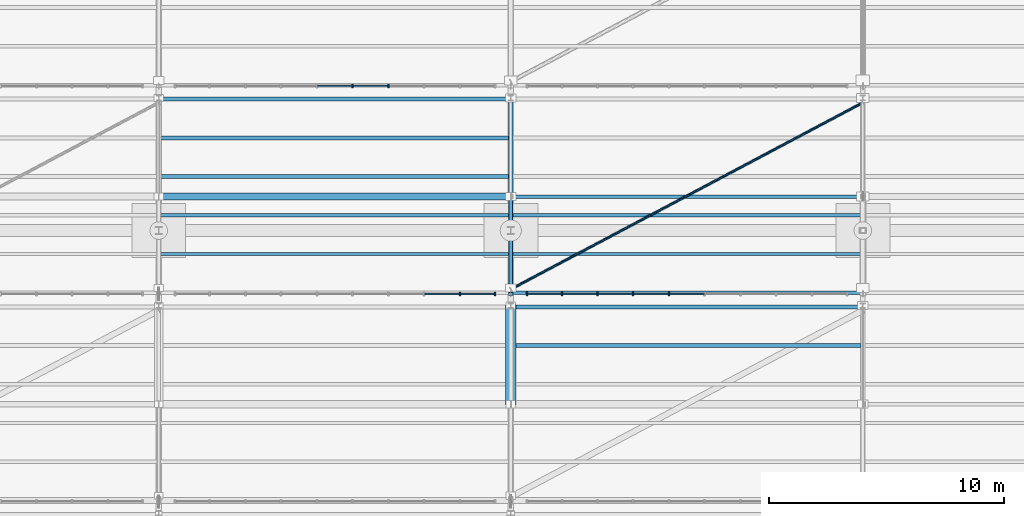
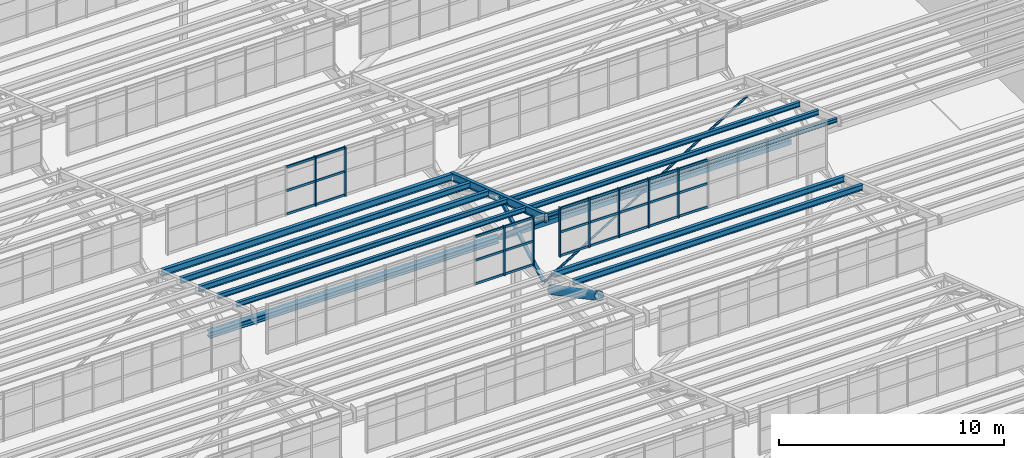
# One storey, part 91 of 285: 42 members, 11 beams, 3 elements without a shape of their own.
"""IFC4 building model written with IfcOpenShell, lengths in metres."""

from ifc_helpers import new_model, si_unit, direction, frame, origin, origin_2d, place, context, subcontext, project, spatial, rectangle, hollow_rectangle, hollow_circle, i_section, extrude, material, material_profile, profile_set, type_object, element, aggregate, save


model = new_model("IFC4")

# Units and contexts
model_context = context("Model", 3, precision=1e-05, world=origin(), true_north=direction((0.0, 1.0)))
body_context = subcontext(model_context, "Body", "Model", "MODEL_VIEW")
ifc_project = project(units=[si_unit("LENGTHUNIT", "METRE"), si_unit("AREAUNIT", "SQUARE_METRE"), si_unit("VOLUMEUNIT", "CUBIC_METRE"), si_unit("PLANEANGLEUNIT", "RADIAN"), si_unit("MASSUNIT", "GRAM", prefix="KILO")], contexts=[model_context])

# Site, building, storey
site_placement = place(None, origin())
site = spatial("IfcSite", under=ifc_project, at=site_placement, CompositionType="ELEMENT")
building_placement = place(site_placement, origin())
building = spatial("IfcBuilding", under=site, at=building_placement, Name="Solanera Park Tramway Depot", CompositionType="ELEMENT")
storey_placement = place(building_placement, origin())
storey = spatial("IfcBuildingStorey", under=building, at=storey_placement, Name="L00", CompositionType="ELEMENT", Elevation=0.0)

# Curtain wall, members
ifc_material_1 = material(Name="Bronze-anodised thermally broken aluminium curtain wall", Category="aluminium")
curtain_wall_type = type_object("IfcCurtainWallType", Name="Sawtooth Clerestory Monitor Curtain Wall", PredefinedType="NOTDEFINED", material=ifc_material_1)
curtain_wall_1_placement = place(storey_placement, origin())
curtain_wall_1 = element("IfcCurtainWall", 1, at=curtain_wall_1_placement, inside=storey, type_object=curtain_wall_type, Name="L00 Sawtooth Clerestory Monitor Curtain Wall #026", PredefinedType="NOTDEFINED")
ifc_material_2 = material(Name="Bronze-anodised structural aluminium 6063-T6", Category="aluminium")
ifc_material_profile_1 = material_profile(ifc_material_2, rectangle(XDim=0.06494140625, YDim=0.14990234375, at=origin_2d()), Name="Curtain Wall Mullion 65x150")
ifc_profile_set_1 = profile_set([ifc_material_profile_1], Name="Bronze-anodised structural aluminium 6063-T6")
member_type_1 = type_object("IfcMemberType", Name="Curtain Wall Mullion 65x150", PredefinedType="MULLION", material=ifc_profile_set_1)
member_1_placement = place(storey_placement, frame((117.827880859375, 82.300048828125, 7.75), z_axis=(0.0, 0.0, 1.0), x_axis=(1.0, 0.0, 0.0)))
member_1 = element("IfcMember", 2, at=member_1_placement, type_object=member_type_1, Name="CW-L00-026 Mullion 9", PredefinedType="MULLION", context=body_context, shape_type="SweptSolid", body=[
    extrude(rectangle(XDim=0.06494140625, YDim=0.14990234375, at=origin_2d()), origin(), (0.0, 0.0, 1.0), 2.6611328125),
])
member_2_placement = place(storey_placement, frame((119.3173828125, 82.300048828125, 7.75), z_axis=(0.0, 0.0, 1.0), x_axis=(1.0, 0.0, 0.0)))
member_2 = element("IfcMember", 3, at=member_2_placement, type_object=member_type_1, Name="CW-L00-026 Mullion 10", PredefinedType="MULLION", context=body_context, shape_type="SweptSolid", body=[
    extrude(rectangle(XDim=0.06494140625, YDim=0.14990234375, at=origin_2d()), origin(), (0.0, 0.0, 1.0), 2.6611328125),
])

curtain_wall_2_placement = place(storey_placement, origin())
curtain_wall_2 = element("IfcCurtainWall", 4, at=curtain_wall_2_placement, inside=storey, type_object=curtain_wall_type, Name="L00 Sawtooth Clerestory Monitor Curtain Wall #027", PredefinedType="NOTDEFINED")
member_3_placement = place(storey_placement, frame((120.6826171875, 82.300048828125, 7.75), z_axis=(0.0, 0.0, 1.0), x_axis=(1.0, 0.0, 0.0)))
member_3 = element("IfcMember", 5, at=member_3_placement, type_object=member_type_1, Name="CW-L00-027 Mullion 1", PredefinedType="MULLION", context=body_context, shape_type="SweptSolid", body=[
    extrude(rectangle(XDim=0.06494140625, YDim=0.14990234375, at=origin_2d()), origin(), (0.0, 0.0, 1.0), 2.6611328125),
])
member_4_placement = place(storey_placement, frame((122.172119140625, 82.300048828125, 7.75), z_axis=(0.0, 0.0, 1.0), x_axis=(1.0, 0.0, 0.0)))
member_4 = element("IfcMember", 6, at=member_4_placement, type_object=member_type_1, Name="CW-L00-027 Mullion 2", PredefinedType="MULLION", context=body_context, shape_type="SweptSolid", body=[
    extrude(rectangle(XDim=0.06494140625, YDim=0.14990234375, at=origin_2d()), origin(), (0.0, 0.0, 1.0), 2.6611328125),
])
member_5_placement = place(storey_placement, frame((123.6943359375, 82.300048828125, 7.75), z_axis=(0.0, 0.0, 1.0), x_axis=(1.0, 0.0, 0.0)))
member_5 = element("IfcMember", 7, at=member_5_placement, type_object=member_type_1, Name="CW-L00-027 Mullion 3", PredefinedType="MULLION", context=body_context, shape_type="SweptSolid", body=[
    extrude(rectangle(XDim=0.06494140625, YDim=0.14990234375, at=origin_2d()), origin(), (0.0, 0.0, 1.0), 2.6611328125),
])
member_6_placement = place(storey_placement, frame((125.216796875, 82.300048828125, 7.75), z_axis=(0.0, 0.0, 1.0), x_axis=(1.0, 0.0, 0.0)))
member_6 = element("IfcMember", 8, at=member_6_placement, type_object=member_type_1, Name="CW-L00-027 Mullion 4", PredefinedType="MULLION", context=body_context, shape_type="SweptSolid", body=[
    extrude(rectangle(XDim=0.06494140625, YDim=0.14990234375, at=origin_2d()), origin(), (0.0, 0.0, 1.0), 2.6611328125),
])
member_7_placement = place(storey_placement, frame((126.739013671875, 82.300048828125, 7.75), z_axis=(0.0, 0.0, 1.0), x_axis=(1.0, 0.0, 0.0)))
member_7 = element("IfcMember", 9, at=member_7_placement, type_object=member_type_1, Name="CW-L00-027 Mullion 5", PredefinedType="MULLION", context=body_context, shape_type="SweptSolid", body=[
    extrude(rectangle(XDim=0.06494140625, YDim=0.14990234375, at=origin_2d()), origin(), (0.0, 0.0, 1.0), 2.6611328125),
])

curtain_wall_3_placement = place(storey_placement, origin())
curtain_wall_3 = element("IfcCurtainWall", 10, at=curtain_wall_3_placement, inside=storey, type_object=curtain_wall_type, Name="L00 Sawtooth Clerestory Monitor Curtain Wall #034", PredefinedType="NOTDEFINED")
member_8_placement = place(storey_placement, frame((113.260986328125, 91.14990234375, 7.75), z_axis=(0.0, 0.0, 1.0), x_axis=(1.0, 0.0, 0.0)))
member_8 = element("IfcMember", 11, at=member_8_placement, type_object=member_type_1, Name="CW-L00-034 Mullion 6", PredefinedType="MULLION", context=body_context, shape_type="SweptSolid", body=[
    extrude(rectangle(XDim=0.06494140625, YDim=0.14990234375, at=origin_2d()), origin(), (0.0, 0.0, 1.0), 2.6611328125),
])
member_9_placement = place(storey_placement, frame((114.783203125, 91.14990234375, 7.75), z_axis=(0.0, 0.0, 1.0), x_axis=(1.0, 0.0, 0.0)))
member_9 = element("IfcMember", 12, at=member_9_placement, type_object=member_type_1, Name="CW-L00-034 Mullion 7", PredefinedType="MULLION", context=body_context, shape_type="SweptSolid", body=[
    extrude(rectangle(XDim=0.06494140625, YDim=0.14990234375, at=origin_2d()), origin(), (0.0, 0.0, 1.0), 2.6611328125),
])

# Member
ifc_material_3 = material(Name="Bronze-anodised structural aluminium 6063-T6", Category="aluminium")
ifc_material_profile_2 = material_profile(ifc_material_3, rectangle(XDim=0.06494140625, YDim=0.1201171875, at=origin_2d()), Name="Curtain Wall Transom 65x120")
ifc_profile_set_2 = profile_set([ifc_material_profile_2], Name="Bronze-anodised structural aluminium 6063-T6")
member_type_2 = type_object("IfcMemberType", Name="Curtain Wall Transom 65x120", PredefinedType="USERDEFINED", material=ifc_profile_set_2)
member_10_placement = place(storey_placement, frame((116.33349609375, 82.300048828125, 7.81005859375), z_axis=(1.0, 0.0, 0.0), x_axis=(0.0, 1.0, 0.0)))
member_10 = element("IfcMember", 13, at=member_10_placement, type_object=member_type_2, Name="CW-L00-026 Transom R1.C8", ObjectType="TRANSOM", PredefinedType="USERDEFINED", context=body_context, shape_type="SweptSolid", body=[
    extrude(rectangle(XDim=0.06494140625, YDim=0.1201171875, at=origin_2d()), origin(), (0.0, 0.0, 1.0), 1.46630859375),
])

member_11_placement = place(storey_placement, frame((117.855712890625, 82.300048828125, 7.81005859375), z_axis=(1.0, 0.0, 0.0), x_axis=(0.0, 1.0, 0.0)))
member_11 = element("IfcMember", 14, at=member_11_placement, type_object=member_type_2, Name="CW-L00-026 Transom R1.C9", ObjectType="TRANSOM", PredefinedType="USERDEFINED", context=body_context, shape_type="SweptSolid", body=[
    extrude(rectangle(XDim=0.06494140625, YDim=0.1201171875, at=origin_2d()), origin(), (0.0, 0.0, 1.0), 1.433837890625),
])

member_12_placement = place(storey_placement, frame((116.33349609375, 82.300048828125, 9.08056640625), z_axis=(1.0, 0.0, 0.0), x_axis=(0.0, 1.0, 0.0)))
member_12 = element("IfcMember", 15, at=member_12_placement, type_object=member_type_2, Name="CW-L00-026 Transom R2.C8", ObjectType="TRANSOM", PredefinedType="USERDEFINED", context=body_context, shape_type="SweptSolid", body=[
    extrude(rectangle(XDim=0.06494140625, YDim=0.1201171875, at=origin_2d()), origin(), (0.0, 0.0, 1.0), 1.46630859375),
])

member_13_placement = place(storey_placement, frame((117.855712890625, 82.300048828125, 9.08056640625), z_axis=(1.0, 0.0, 0.0), x_axis=(0.0, 1.0, 0.0)))
member_13 = element("IfcMember", 16, at=member_13_placement, type_object=member_type_2, Name="CW-L00-026 Transom R2.C9", ObjectType="TRANSOM", PredefinedType="USERDEFINED", context=body_context, shape_type="SweptSolid", body=[
    extrude(rectangle(XDim=0.06494140625, YDim=0.1201171875, at=origin_2d()), origin(), (0.0, 0.0, 1.0), 1.433837890625),
])

member_14_placement = place(storey_placement, frame((116.33349609375, 82.300048828125, 10.351318359375), z_axis=(1.0, 0.0, 0.0), x_axis=(0.0, 1.0, 0.0)))
member_14 = element("IfcMember", 17, at=member_14_placement, type_object=member_type_2, Name="CW-L00-026 Transom R3.C8", ObjectType="TRANSOM", PredefinedType="USERDEFINED", context=body_context, shape_type="SweptSolid", body=[
    extrude(rectangle(XDim=0.06494140625, YDim=0.1201171875, at=origin_2d()), origin(), (0.0, 0.0, 1.0), 1.46630859375),
])

member_15_placement = place(storey_placement, frame((117.855712890625, 82.300048828125, 10.351318359375), z_axis=(1.0, 0.0, 0.0), x_axis=(0.0, 1.0, 0.0)))
member_15 = element("IfcMember", 18, at=member_15_placement, type_object=member_type_2, Name="CW-L00-026 Transom R3.C9", ObjectType="TRANSOM", PredefinedType="USERDEFINED", context=body_context, shape_type="SweptSolid", body=[
    extrude(rectangle(XDim=0.06494140625, YDim=0.1201171875, at=origin_2d()), origin(), (0.0, 0.0, 1.0), 1.433837890625),
])

aggregate(curtain_wall_1, [member_1, member_2, member_10, member_11, member_12, member_13, member_14, member_15])

member_16_placement = place(storey_placement, frame((120.71044921875, 82.300048828125, 7.81005859375), z_axis=(1.0, 0.0, 0.0), x_axis=(0.0, 1.0, 0.0)))
member_16 = element("IfcMember", 19, at=member_16_placement, type_object=member_type_2, Name="CW-L00-027 Transom R1.C1", ObjectType="TRANSOM", PredefinedType="USERDEFINED", context=body_context, shape_type="SweptSolid", body=[
    extrude(rectangle(XDim=0.06494140625, YDim=0.1201171875, at=origin_2d()), origin(), (0.0, 0.0, 1.0), 1.433837890625),
])

member_17_placement = place(storey_placement, frame((122.2001953125, 82.300048828125, 7.81005859375), z_axis=(1.0, 0.0, 0.0), x_axis=(0.0, 1.0, 0.0)))
member_17 = element("IfcMember", 20, at=member_17_placement, type_object=member_type_2, Name="CW-L00-027 Transom R1.C2", ObjectType="TRANSOM", PredefinedType="USERDEFINED", context=body_context, shape_type="SweptSolid", body=[
    extrude(rectangle(XDim=0.06494140625, YDim=0.1201171875, at=origin_2d()), origin(), (0.0, 0.0, 1.0), 1.46630859375),
])

member_18_placement = place(storey_placement, frame((123.722412109375, 82.300048828125, 7.81005859375), z_axis=(1.0, 0.0, 0.0), x_axis=(0.0, 1.0, 0.0)))
member_18 = element("IfcMember", 21, at=member_18_placement, type_object=member_type_2, Name="CW-L00-027 Transom R1.C3", ObjectType="TRANSOM", PredefinedType="USERDEFINED", context=body_context, shape_type="SweptSolid", body=[
    extrude(rectangle(XDim=0.06494140625, YDim=0.1201171875, at=origin_2d()), origin(), (0.0, 0.0, 1.0), 1.46630859375),
])

member_19_placement = place(storey_placement, frame((125.24462890625, 82.300048828125, 7.81005859375), z_axis=(1.0, 0.0, 0.0), x_axis=(0.0, 1.0, 0.0)))
member_19 = element("IfcMember", 22, at=member_19_placement, type_object=member_type_2, Name="CW-L00-027 Transom R1.C4", ObjectType="TRANSOM", PredefinedType="USERDEFINED", context=body_context, shape_type="SweptSolid", body=[
    extrude(rectangle(XDim=0.06494140625, YDim=0.1201171875, at=origin_2d()), origin(), (0.0, 0.0, 1.0), 1.46630859375),
])

member_20_placement = place(storey_placement, frame((126.766845703125, 82.300048828125, 7.81005859375), z_axis=(1.0, 0.0, 0.0), x_axis=(0.0, 1.0, 0.0)))
member_20 = element("IfcMember", 23, at=member_20_placement, type_object=member_type_2, Name="CW-L00-027 Transom R1.C5", ObjectType="TRANSOM", PredefinedType="USERDEFINED", context=body_context, shape_type="SweptSolid", body=[
    extrude(rectangle(XDim=0.06494140625, YDim=0.1201171875, at=origin_2d()), origin(), (0.0, 0.0, 1.0), 1.46630859375),
])

member_21_placement = place(storey_placement, frame((120.71044921875, 82.300048828125, 9.08056640625), z_axis=(1.0, 0.0, 0.0), x_axis=(0.0, 1.0, 0.0)))
member_21 = element("IfcMember", 24, at=member_21_placement, type_object=member_type_2, Name="CW-L00-027 Transom R2.C1", ObjectType="TRANSOM", PredefinedType="USERDEFINED", context=body_context, shape_type="SweptSolid", body=[
    extrude(rectangle(XDim=0.06494140625, YDim=0.1201171875, at=origin_2d()), origin(), (0.0, 0.0, 1.0), 1.433837890625),
])

member_22_placement = place(storey_placement, frame((122.2001953125, 82.300048828125, 9.08056640625), z_axis=(1.0, 0.0, 0.0), x_axis=(0.0, 1.0, 0.0)))
member_22 = element("IfcMember", 25, at=member_22_placement, type_object=member_type_2, Name="CW-L00-027 Transom R2.C2", ObjectType="TRANSOM", PredefinedType="USERDEFINED", context=body_context, shape_type="SweptSolid", body=[
    extrude(rectangle(XDim=0.06494140625, YDim=0.1201171875, at=origin_2d()), origin(), (0.0, 0.0, 1.0), 1.46630859375),
])

member_23_placement = place(storey_placement, frame((123.722412109375, 82.300048828125, 9.08056640625), z_axis=(1.0, 0.0, 0.0), x_axis=(0.0, 1.0, 0.0)))
member_23 = element("IfcMember", 26, at=member_23_placement, type_object=member_type_2, Name="CW-L00-027 Transom R2.C3", ObjectType="TRANSOM", PredefinedType="USERDEFINED", context=body_context, shape_type="SweptSolid", body=[
    extrude(rectangle(XDim=0.06494140625, YDim=0.1201171875, at=origin_2d()), origin(), (0.0, 0.0, 1.0), 1.46630859375),
])

member_24_placement = place(storey_placement, frame((125.24462890625, 82.300048828125, 9.08056640625), z_axis=(1.0, 0.0, 0.0), x_axis=(0.0, 1.0, 0.0)))
member_24 = element("IfcMember", 27, at=member_24_placement, type_object=member_type_2, Name="CW-L00-027 Transom R2.C4", ObjectType="TRANSOM", PredefinedType="USERDEFINED", context=body_context, shape_type="SweptSolid", body=[
    extrude(rectangle(XDim=0.06494140625, YDim=0.1201171875, at=origin_2d()), origin(), (0.0, 0.0, 1.0), 1.46630859375),
])

member_25_placement = place(storey_placement, frame((126.766845703125, 82.300048828125, 9.08056640625), z_axis=(1.0, 0.0, 0.0), x_axis=(0.0, 1.0, 0.0)))
member_25 = element("IfcMember", 28, at=member_25_placement, type_object=member_type_2, Name="CW-L00-027 Transom R2.C5", ObjectType="TRANSOM", PredefinedType="USERDEFINED", context=body_context, shape_type="SweptSolid", body=[
    extrude(rectangle(XDim=0.06494140625, YDim=0.1201171875, at=origin_2d()), origin(), (0.0, 0.0, 1.0), 1.46630859375),
])

member_26_placement = place(storey_placement, frame((120.71044921875, 82.300048828125, 10.351318359375), z_axis=(1.0, 0.0, 0.0), x_axis=(0.0, 1.0, 0.0)))
member_26 = element("IfcMember", 29, at=member_26_placement, type_object=member_type_2, Name="CW-L00-027 Transom R3.C1", ObjectType="TRANSOM", PredefinedType="USERDEFINED", context=body_context, shape_type="SweptSolid", body=[
    extrude(rectangle(XDim=0.06494140625, YDim=0.1201171875, at=origin_2d()), origin(), (0.0, 0.0, 1.0), 1.433837890625),
])

member_27_placement = place(storey_placement, frame((122.2001953125, 82.300048828125, 10.351318359375), z_axis=(1.0, 0.0, 0.0), x_axis=(0.0, 1.0, 0.0)))
member_27 = element("IfcMember", 30, at=member_27_placement, type_object=member_type_2, Name="CW-L00-027 Transom R3.C2", ObjectType="TRANSOM", PredefinedType="USERDEFINED", context=body_context, shape_type="SweptSolid", body=[
    extrude(rectangle(XDim=0.06494140625, YDim=0.1201171875, at=origin_2d()), origin(), (0.0, 0.0, 1.0), 1.46630859375),
])

member_28_placement = place(storey_placement, frame((123.722412109375, 82.300048828125, 10.351318359375), z_axis=(1.0, 0.0, 0.0), x_axis=(0.0, 1.0, 0.0)))
member_28 = element("IfcMember", 31, at=member_28_placement, type_object=member_type_2, Name="CW-L00-027 Transom R3.C3", ObjectType="TRANSOM", PredefinedType="USERDEFINED", context=body_context, shape_type="SweptSolid", body=[
    extrude(rectangle(XDim=0.06494140625, YDim=0.1201171875, at=origin_2d()), origin(), (0.0, 0.0, 1.0), 1.46630859375),
])

member_29_placement = place(storey_placement, frame((125.24462890625, 82.300048828125, 10.351318359375), z_axis=(1.0, 0.0, 0.0), x_axis=(0.0, 1.0, 0.0)))
member_29 = element("IfcMember", 32, at=member_29_placement, type_object=member_type_2, Name="CW-L00-027 Transom R3.C4", ObjectType="TRANSOM", PredefinedType="USERDEFINED", context=body_context, shape_type="SweptSolid", body=[
    extrude(rectangle(XDim=0.06494140625, YDim=0.1201171875, at=origin_2d()), origin(), (0.0, 0.0, 1.0), 1.46630859375),
])

member_30_placement = place(storey_placement, frame((126.766845703125, 82.300048828125, 10.351318359375), z_axis=(1.0, 0.0, 0.0), x_axis=(0.0, 1.0, 0.0)))
member_30 = element("IfcMember", 33, at=member_30_placement, type_object=member_type_2, Name="CW-L00-027 Transom R3.C5", ObjectType="TRANSOM", PredefinedType="USERDEFINED", context=body_context, shape_type="SweptSolid", body=[
    extrude(rectangle(XDim=0.06494140625, YDim=0.1201171875, at=origin_2d()), origin(), (0.0, 0.0, 1.0), 1.46630859375),
])

aggregate(curtain_wall_2, [member_3, member_4, member_5, member_6, member_7, member_16, member_17, member_18, member_19, member_20, member_21, member_22, member_23, member_24, member_25, member_26, member_27, member_28, member_29, member_30])

member_31_placement = place(storey_placement, frame((111.766845703125, 91.14990234375, 7.81005859375), z_axis=(1.0, 0.0, 0.0), x_axis=(0.0, 1.0, 0.0)))
member_31 = element("IfcMember", 34, at=member_31_placement, type_object=member_type_2, Name="CW-L00-034 Transom R1.C5", ObjectType="TRANSOM", PredefinedType="USERDEFINED", context=body_context, shape_type="SweptSolid", body=[
    extrude(rectangle(XDim=0.06494140625, YDim=0.1201171875, at=origin_2d()), origin(), (0.0, 0.0, 1.0), 1.46630859375),
])

member_32_placement = place(storey_placement, frame((113.2890625, 91.14990234375, 7.81005859375), z_axis=(1.0, 0.0, 0.0), x_axis=(0.0, 1.0, 0.0)))
member_32 = element("IfcMember", 35, at=member_32_placement, type_object=member_type_2, Name="CW-L00-034 Transom R1.C6", ObjectType="TRANSOM", PredefinedType="USERDEFINED", context=body_context, shape_type="SweptSolid", body=[
    extrude(rectangle(XDim=0.06494140625, YDim=0.1201171875, at=origin_2d()), origin(), (0.0, 0.0, 1.0), 1.46630859375),
])

member_33_placement = place(storey_placement, frame((111.766845703125, 91.14990234375, 9.08056640625), z_axis=(1.0, 0.0, 0.0), x_axis=(0.0, 1.0, 0.0)))
member_33 = element("IfcMember", 36, at=member_33_placement, type_object=member_type_2, Name="CW-L00-034 Transom R2.C5", ObjectType="TRANSOM", PredefinedType="USERDEFINED", context=body_context, shape_type="SweptSolid", body=[
    extrude(rectangle(XDim=0.06494140625, YDim=0.1201171875, at=origin_2d()), origin(), (0.0, 0.0, 1.0), 1.46630859375),
])

member_34_placement = place(storey_placement, frame((113.2890625, 91.14990234375, 9.08056640625), z_axis=(1.0, 0.0, 0.0), x_axis=(0.0, 1.0, 0.0)))
member_34 = element("IfcMember", 37, at=member_34_placement, type_object=member_type_2, Name="CW-L00-034 Transom R2.C6", ObjectType="TRANSOM", PredefinedType="USERDEFINED", context=body_context, shape_type="SweptSolid", body=[
    extrude(rectangle(XDim=0.06494140625, YDim=0.1201171875, at=origin_2d()), origin(), (0.0, 0.0, 1.0), 1.46630859375),
])

member_35_placement = place(storey_placement, frame((111.766845703125, 91.14990234375, 10.351318359375), z_axis=(1.0, 0.0, 0.0), x_axis=(0.0, 1.0, 0.0)))
member_35 = element("IfcMember", 38, at=member_35_placement, type_object=member_type_2, Name="CW-L00-034 Transom R3.C5", ObjectType="TRANSOM", PredefinedType="USERDEFINED", context=body_context, shape_type="SweptSolid", body=[
    extrude(rectangle(XDim=0.06494140625, YDim=0.1201171875, at=origin_2d()), origin(), (0.0, 0.0, 1.0), 1.46630859375),
])

member_36_placement = place(storey_placement, frame((113.2890625, 91.14990234375, 10.351318359375), z_axis=(1.0, 0.0, 0.0), x_axis=(0.0, 1.0, 0.0)))
member_36 = element("IfcMember", 39, at=member_36_placement, type_object=member_type_2, Name="CW-L00-034 Transom R3.C6", ObjectType="TRANSOM", PredefinedType="USERDEFINED", context=body_context, shape_type="SweptSolid", body=[
    extrude(rectangle(XDim=0.06494140625, YDim=0.1201171875, at=origin_2d()), origin(), (0.0, 0.0, 1.0), 1.46630859375),
])

aggregate(curtain_wall_3, [member_8, member_9, member_31, member_32, member_33, member_34, member_35, member_36])

# Members
ifc_material_4 = material(Name="Steel AS/NZS 1163 Grade C350L0", Category="steel")
ifc_material_profile_3 = material_profile(ifc_material_4, hollow_rectangle(XDim=0.14990234375, YDim=0.14990234375, WallThickness=0.006103515625, at=origin_2d()), Name="150x150x6.0 SHS")
ifc_profile_set_3 = profile_set([ifc_material_profile_3], Name="Steel AS/NZS 1163 Grade C350L0")
member_type_3 = type_object("IfcMemberType", Name="Roof Gantry Compression Strut 150x150x6.0 SHS", PredefinedType="STRUT", material=ifc_profile_set_3)
member_37_placement = place(storey_placement, frame((120.0, 82.550048828125, 6.5), z_axis=(0.0, 0.871630906744, 0.490162791742), x_axis=(-1.0, 0.0, 0.0)))
element("IfcMember", 40, at=member_37_placement, inside=storey, type_object=member_type_3, Name="Sawtooth ROOF TRUSS Strut 150x150x6.0 SHS #0158", PredefinedType="STRUT", context=body_context, shape_type="SweptSolid", body=[
    extrude(hollow_rectangle(XDim=0.14990234375, YDim=0.14990234375, WallThickness=0.006103515625, at=origin_2d()), origin(), (0.0, 0.0, 1.0), 4.474365234375),
])
ifc_material_5 = material(Name="Steel AS/NZS 1163 Grade C350L0", Category="steel")
ifc_material_profile_4 = material_profile(ifc_material_5, hollow_rectangle(XDim=0.14990234375, YDim=0.25, WallThickness=0.008056640625, at=origin_2d()), Name="250x150x8.0 RHS")
ifc_profile_set_4 = profile_set([ifc_material_profile_4], Name="Steel AS/NZS 1163 Grade C350L0")
member_type_4 = type_object("IfcMemberType", Name="Secondary Truss Chord 250x150x8.0 RHS", PredefinedType="CHORD", material=ifc_profile_set_4)
member_38_placement = place(storey_placement, frame((120.087890625, 86.449951171875, 6.5), z_axis=(1.0, 0.0, 0.0), x_axis=(0.0, 1.0, 0.0)))
element("IfcMember", 41, at=member_38_placement, inside=storey, type_object=member_type_4, Name="Sawtooth Longitudinal Tie Chord 250x150x8.0 RHS #0176", PredefinedType="CHORD", context=body_context, shape_type="SweptSolid", body=[
    extrude(hollow_rectangle(XDim=0.14990234375, YDim=0.25, WallThickness=0.008056640625, at=origin_2d()), origin(), (0.0, 0.0, 1.0), 14.82421875),
])
ifc_material_6 = material(Name="Steel AS/NZS 3679.1 Grade 350", Category="steel")
ifc_material_profile_5 = material_profile(ifc_material_6, i_section(OverallWidth=0.310546875, OverallDepth=0.3271484375, WebThickness=0.015625, FlangeThickness=0.02490234375, at=origin_2d()), Name="310UC158")
ifc_profile_set_5 = profile_set([ifc_material_profile_5], Name="Steel AS/NZS 3679.1 Grade 350")
member_type_5 = type_object("IfcMemberType", Name="Secondary Truss Chord 310UC158", PredefinedType="CHORD", material=ifc_profile_set_5)
member_39_placement = place(storey_placement, frame((105.087890625, 86.449951171875, 6.5), z_axis=(1.0, 0.0, 0.0), x_axis=(0.0, 1.0, 0.0)))
element("IfcMember", 42, at=member_39_placement, inside=storey, type_object=member_type_5, Name="Sawtooth Longitudinal Tie Chord 310UC158 #0175", PredefinedType="CHORD", context=body_context, shape_type="SweptSolid", body=[
    extrude(i_section(OverallWidth=0.310546875, OverallDepth=0.3271484375, WebThickness=0.015625, FlangeThickness=0.02490234375, at=origin_2d()), origin(), (0.0, 0.0, 1.0), 14.82421875),
])

# Beams
ifc_material_7 = material(Name="Steel AS/NZS 3679.1 Grade 350", Category="steel")
ifc_material_profile_6 = material_profile(ifc_material_7, i_section(OverallWidth=0.177734375, OverallDepth=0.406494140625, WebThickness=0.0078125, FlangeThickness=0.0126953125, at=origin_2d()), Name="410UB59.7")
ifc_profile_set_6 = profile_set([ifc_material_profile_6], Name="Steel AS/NZS 3679.1 Grade 350")
beam_type_1 = type_object("IfcBeamType", Name="Steel Beam 410UB59.7", PredefinedType="BEAM", material=ifc_profile_set_6)
beam_1_placement = place(storey_placement, frame((120.0, 82.300048828125, 10.08154296875), z_axis=(0.0, 0.948319437663, -0.317317261034), x_axis=(-1.0, 0.0, 0.0)))
element("IfcBeam", 43, at=beam_1_placement, inside=storey, type_object=beam_type_1, Name="Sawtooth ROOF TRUSS Top Rafter 410UB59.7 B04-T9", PredefinedType="BEAM", context=body_context, shape_type="SweptSolid", body=[
    extrude(i_section(OverallWidth=0.177734375, OverallDepth=0.406494140625, WebThickness=0.0078125, FlangeThickness=0.0126953125, at=origin_2d()), origin(), (0.0, 0.0, 1.0), 8.804931640625),
])
ifc_material_8 = material(Name="Steel AS/NZS 3679.1 Grade 350", Category="steel")
ifc_material_profile_7 = material_profile(ifc_material_8, i_section(OverallWidth=0.13330078125, OverallDepth=0.203125, WebThickness=0.005859375, FlangeThickness=0.0078125, at=origin_2d()), Name="200UB25.4")
ifc_profile_set_7 = profile_set([ifc_material_profile_7], Name="Steel AS/NZS 3679.1 Grade 350")
beam_type_2 = type_object("IfcBeamType", Name="Steel Joist Purlin 200UB25.4", PredefinedType="JOIST", material=ifc_profile_set_7)
beam_2_placement = place(storey_placement, frame((120.080810546875, 82.35009765625, 10.166259765625), z_axis=(1.0, 0.0, 0.0), x_axis=(0.0, 1.0, 0.0)))
element("IfcBeam", 44, at=beam_2_placement, inside=storey, type_object=beam_type_2, Name="Sawtooth Roof Purlin 200UB25.4 B04.1", PredefinedType="JOIST", context=body_context, shape_type="SweptSolid", body=[
    extrude(i_section(OverallWidth=0.13330078125, OverallDepth=0.203125, WebThickness=0.005859375, FlangeThickness=0.0078125, at=origin_2d()), origin(), (0.0, 0.0, 1.0), 14.83203125),
])
ifc_material_9 = material(Name="Steel AS/NZS 3679.1 Grade 350", Category="steel")
ifc_material_profile_8 = material_profile(ifc_material_9, i_section(OverallWidth=0.14599609375, OverallDepth=0.251708984375, WebThickness=0.006103515625, FlangeThickness=0.008544921875, at=origin_2d()), Name="250UB31.4")
ifc_profile_set_8 = profile_set([ifc_material_profile_8], Name="Steel AS/NZS 3679.1 Grade 350")
beam_type_3 = type_object("IfcBeamType", Name="Steel Joist Purlin 250UB31.4", PredefinedType="JOIST", material=ifc_profile_set_8)
beam_3_placement = place(storey_placement, frame((105.077880859375, 84.0, 9.587890625), z_axis=(1.0, 0.0, 0.0), x_axis=(0.0, 1.0, 0.0)))
element("IfcBeam", 45, at=beam_3_placement, inside=storey, type_object=beam_type_3, Name="Sawtooth Roof Purlin 250UB31.4 B04.2", PredefinedType="JOIST", context=body_context, shape_type="SweptSolid", body=[
    extrude(i_section(OverallWidth=0.14599609375, OverallDepth=0.251708984375, WebThickness=0.006103515625, FlangeThickness=0.008544921875, at=origin_2d()), origin(), (0.0, 0.0, 1.0), 14.84130859375),
])
beam_4_placement = place(storey_placement, frame((120.080810546875, 84.0, 9.587890625), z_axis=(1.0, 0.0, 0.0), x_axis=(0.0, 1.0, 0.0)))
element("IfcBeam", 46, at=beam_4_placement, inside=storey, type_object=beam_type_3, Name="Sawtooth Roof Purlin 250UB31.4 B04.2", PredefinedType="JOIST", context=body_context, shape_type="SweptSolid", body=[
    extrude(i_section(OverallWidth=0.14599609375, OverallDepth=0.251708984375, WebThickness=0.006103515625, FlangeThickness=0.008544921875, at=origin_2d()), origin(), (0.0, 0.0, 1.0), 14.83203125),
])
ifc_material_10 = material(Name="Steel AS/NZS 3679.1 Grade 350", Category="steel")
ifc_material_profile_9 = material_profile(ifc_material_10, i_section(OverallWidth=0.146484375, OverallDepth=0.256103515625, WebThickness=0.00634765625, FlangeThickness=0.010986328125, at=origin_2d()), Name="250UB37.3")
ifc_profile_set_9 = profile_set([ifc_material_profile_9], Name="Steel AS/NZS 3679.1 Grade 350")
beam_type_4 = type_object("IfcBeamType", Name="Steel Joist Purlin 250UB37.3", PredefinedType="JOIST", material=ifc_profile_set_9)
beam_5_placement = place(storey_placement, frame((105.077880859375, 85.64990234375, 9.033203125), z_axis=(1.0, 0.0, 0.0), x_axis=(0.0, 1.0, 0.0)))
element("IfcBeam", 47, at=beam_5_placement, inside=storey, type_object=beam_type_4, Name="Sawtooth Roof Purlin 250UB37.3 B04.3", PredefinedType="JOIST", context=body_context, shape_type="SweptSolid", body=[
    extrude(i_section(OverallWidth=0.146484375, OverallDepth=0.256103515625, WebThickness=0.00634765625, FlangeThickness=0.010986328125, at=origin_2d()), origin(), (0.0, 0.0, 1.0), 14.84130859375),
])
beam_6_placement = place(storey_placement, frame((120.080810546875, 85.64990234375, 9.033203125), z_axis=(1.0, 0.0, 0.0), x_axis=(0.0, 1.0, 0.0)))
element("IfcBeam", 48, at=beam_6_placement, inside=storey, type_object=beam_type_4, Name="Sawtooth Roof Purlin 250UB37.3 B04.3", PredefinedType="JOIST", context=body_context, shape_type="SweptSolid", body=[
    extrude(i_section(OverallWidth=0.146484375, OverallDepth=0.256103515625, WebThickness=0.00634765625, FlangeThickness=0.010986328125, at=origin_2d()), origin(), (0.0, 0.0, 1.0), 14.83203125),
])
ifc_material_11 = material(Name="Steel AS/NZS 3679.1 Grade 350", Category="steel")
ifc_material_profile_10 = material_profile(ifc_material_11, i_section(OverallWidth=0.1650390625, OverallDepth=0.3037109375, WebThickness=0.006103515625, FlangeThickness=0.01025390625, at=origin_2d()), Name="310UB40.4")
ifc_profile_set_10 = profile_set([ifc_material_profile_10], Name="Steel AS/NZS 3679.1 Grade 350")
beam_type_5 = type_object("IfcBeamType", Name="Steel Joist Purlin 310UB40.4", PredefinedType="JOIST", material=ifc_profile_set_10)
for number, where, z_axis, x_axis, name in (
    (49, (120.077880859375, 80.10009765625, 7.902099609375), (1.0, 0.0, 0.0), (0.0, 1.0, 0.0), "Sawtooth Roof Purlin 310UB40.4 B03.5"),
    (50, (105.077880859375, 87.300048828125, 8.454345703125), (1.0, 0.0, 0.0), (0.0, 1.0, 0.0), "Sawtooth Roof Purlin 310UB40.4 B04.4"),
):
    element("IfcBeam", number, at=place(storey_placement, frame(where, z_axis=z_axis, x_axis=x_axis)), inside=storey, type_object=beam_type_5, Name=name, PredefinedType="JOIST", context=body_context, shape_type="SweptSolid", body=[
        extrude(i_section(OverallWidth=0.1650390625, OverallDepth=0.3037109375, WebThickness=0.006103515625, FlangeThickness=0.01025390625, at=origin_2d()), origin(), (0.0, 0.0, 1.0), 14.84130859375),
    ])
ifc_material_12 = material(Name="Steel AS/NZS 3679.1 Grade 350", Category="steel")
ifc_material_profile_11 = material_profile(ifc_material_12, i_section(OverallWidth=0.166015625, OverallDepth=0.30712890625, WebThickness=0.006591796875, FlangeThickness=0.01171875, at=origin_2d()), Name="310UB46.2")
ifc_profile_set_11 = profile_set([ifc_material_profile_11], Name="Steel AS/NZS 3679.1 Grade 350")
beam_type_6 = type_object("IfcBeamType", Name="Steel Joist Purlin 310UB46.2", PredefinedType="JOIST", material=ifc_profile_set_11)
for number, where, z_axis, x_axis, name in (
    (51, (120.077880859375, 81.75, 7.348388671875), (1.0, 0.0, 0.0), (0.0, 1.0, 0.0), "Sawtooth Roof Purlin 310UB46.2 B03.6"),
    (52, (105.077880859375, 88.949951171875, 7.900390625), (1.0, 0.0, 0.0), (0.0, 1.0, 0.0), "Sawtooth Roof Purlin 310UB46.2 B04.5"),
):
    element("IfcBeam", number, at=place(storey_placement, frame(where, z_axis=z_axis, x_axis=x_axis)), inside=storey, type_object=beam_type_6, Name=name, PredefinedType="JOIST", context=body_context, shape_type="SweptSolid", body=[
        extrude(i_section(OverallWidth=0.166015625, OverallDepth=0.30712890625, WebThickness=0.006591796875, FlangeThickness=0.01171875, at=origin_2d()), origin(), (0.0, 0.0, 1.0), 14.84130859375),
    ])
ifc_material_13 = material(Name="Steel AS/NZS 3679.1 Grade 350", Category="steel")
ifc_material_profile_12 = material_profile(ifc_material_13, i_section(OverallWidth=0.17138671875, OverallDepth=0.355712890625, WebThickness=0.00732421875, FlangeThickness=0.011474609375, at=origin_2d()), Name="360UB50.7")
ifc_profile_set_12 = profile_set([ifc_material_profile_12], Name="Steel AS/NZS 3679.1 Grade 350")
beam_type_7 = type_object("IfcBeamType", Name="Steel Joist Purlin 360UB50.7", PredefinedType="JOIST", material=ifc_profile_set_12)
beam_7_placement = place(storey_placement, frame((105.077880859375, 90.60009765625, 7.3232421875), z_axis=(1.0, 0.0, 0.0), x_axis=(0.0, 1.0, 0.0)))
element("IfcBeam", 53, at=beam_7_placement, inside=storey, type_object=beam_type_7, Name="Sawtooth Roof Purlin 360UB50.7 B04.6", PredefinedType="JOIST", context=body_context, shape_type="SweptSolid", body=[
    extrude(i_section(OverallWidth=0.17138671875, OverallDepth=0.355712890625, WebThickness=0.00732421875, FlangeThickness=0.011474609375, at=origin_2d()), origin(), (0.0, 0.0, 1.0), 14.84130859375),
])

# Members
ifc_material_14 = material(Name="Steel AS/NZS 1163 Grade C350L0", Category="steel")
ifc_material_profile_13 = material_profile(ifc_material_14, hollow_circle(Radius=0.05712890625, WallThickness=0.0048828125, at=origin_2d()), Name="114.3x4.8 CHS")
ifc_profile_set_13 = profile_set([ifc_material_profile_13], Name="Steel AS/NZS 1163 Grade C350L0")
member_type_6 = type_object("IfcMemberType", Name="Truss and Frame Brace 114.3x4.8 CHS", PredefinedType="BRACE", material=ifc_profile_set_13)
member_40_placement = place(storey_placement, frame((120.001953125, 82.5, 6.5), z_axis=(0.883523615038, 0.468386615598, 0.0), x_axis=(-0.468386615598, 0.883523615038, 0.0)))
element("IfcMember", 54, at=member_40_placement, inside=storey, type_object=member_type_6, Name="Roof Plane Cyclonic Brace 114.3x4.8 CHS #0177", PredefinedType="BRACE", context=body_context, shape_type="SweptSolid", body=[
    extrude(hollow_circle(Radius=0.05712890625, WallThickness=0.0048828125, at=origin_2d()), origin(), (0.0, 0.0, 1.0), 16.97314453125),
])
ifc_material_15 = material(Name="Steel AS/NZS 1163 Grade C350L0", Category="steel")
ifc_material_profile_14 = material_profile(ifc_material_15, hollow_rectangle(XDim=0.199951171875, YDim=0.199951171875, WallThickness=0.008056640625, at=origin_2d()), Name="200x200x8.0 SHS")
ifc_profile_set_14 = profile_set([ifc_material_profile_14], Name="Steel AS/NZS 1163 Grade C350L0")
member_type_7 = type_object("IfcMemberType", Name="Truss and Frame Brace 200x200x8.0 SHS", PredefinedType="BRACE", material=ifc_profile_set_14)
member_41_placement = place(storey_placement, frame((120.0, 86.449951171875, 6.5), z_axis=(0.0, -0.757045281618, 0.653362412127), x_axis=(1.0, 0.0, 0.0)))
element("IfcMember", 55, at=member_41_placement, inside=storey, type_object=member_type_7, Name="Sawtooth ROOF TRUSS Web Brace 200x200x8.0 SHS #0156", PredefinedType="BRACE", context=body_context, shape_type="SweptSolid", body=[
    extrude(hollow_rectangle(XDim=0.199951171875, YDim=0.199951171875, WallThickness=0.008056640625, at=origin_2d()), origin(), (0.0, 0.0, 1.0), 5.481689453125),
])
ifc_material_16 = material(Name="Steel AS/NZS 1163 Grade C350L0", Category="steel")
ifc_material_profile_15 = material_profile(ifc_material_16, hollow_circle(Radius=0.228515625, WallThickness=0.0126953125, at=origin_2d()), Name="457.0x12.7 CHS")
ifc_profile_set_15 = profile_set([ifc_material_profile_15], Name="Steel AS/NZS 1163 Grade C350L0")
member_type_8 = type_object("IfcMemberType", Name="Truss and Frame Brace 457.0x12.7 CHS", PredefinedType="BRACE", material=ifc_profile_set_15)
member_42_placement = place(storey_placement, frame((120.0, 81.800048828125, 6.5), z_axis=(0.0, -0.884222622593, 0.467065684561), x_axis=(1.0, 0.0, 0.0)))
element("IfcMember", 56, at=member_42_placement, inside=storey, type_object=member_type_8, Name="Sawtooth ROOF TRUSS Diagonal 457.0x12.7 CHS #0110", PredefinedType="BRACE", context=body_context, shape_type="SweptSolid", body=[
    extrude(hollow_circle(Radius=0.228515625, WallThickness=0.0126953125, at=origin_2d()), origin(), (0.0, 0.0, 1.0), 4.75),
])

save(model, "model.ifc")
